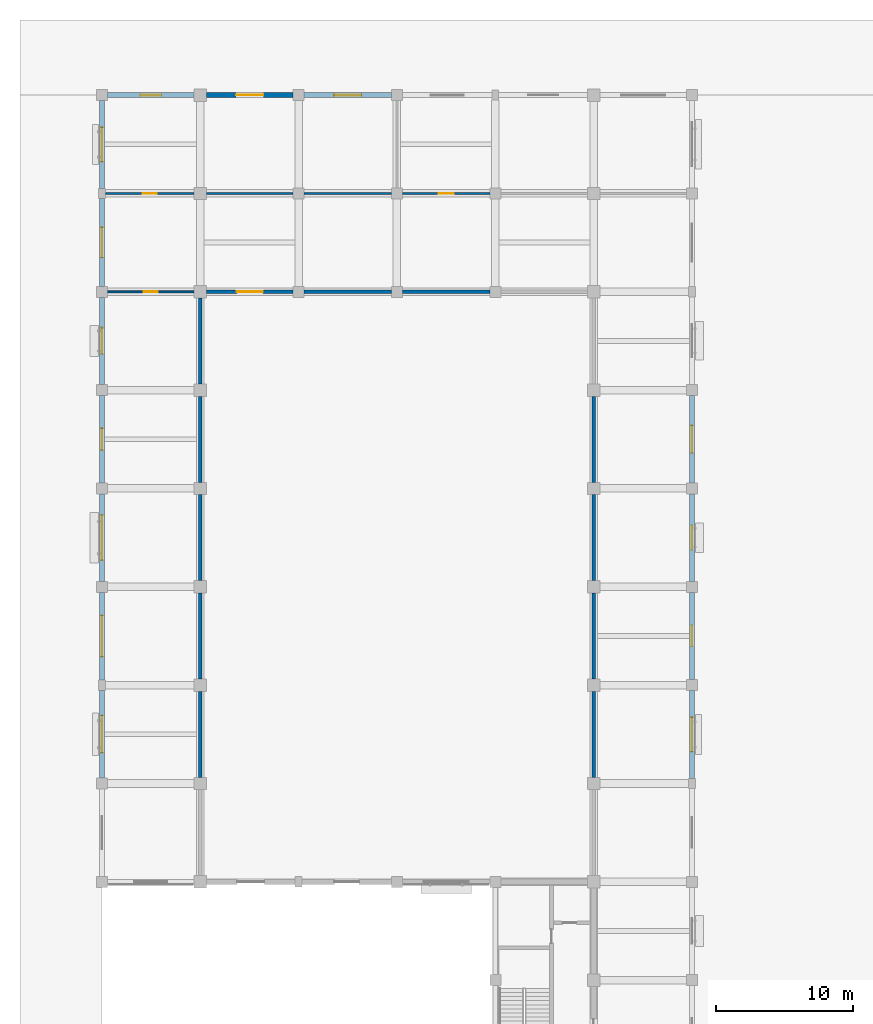
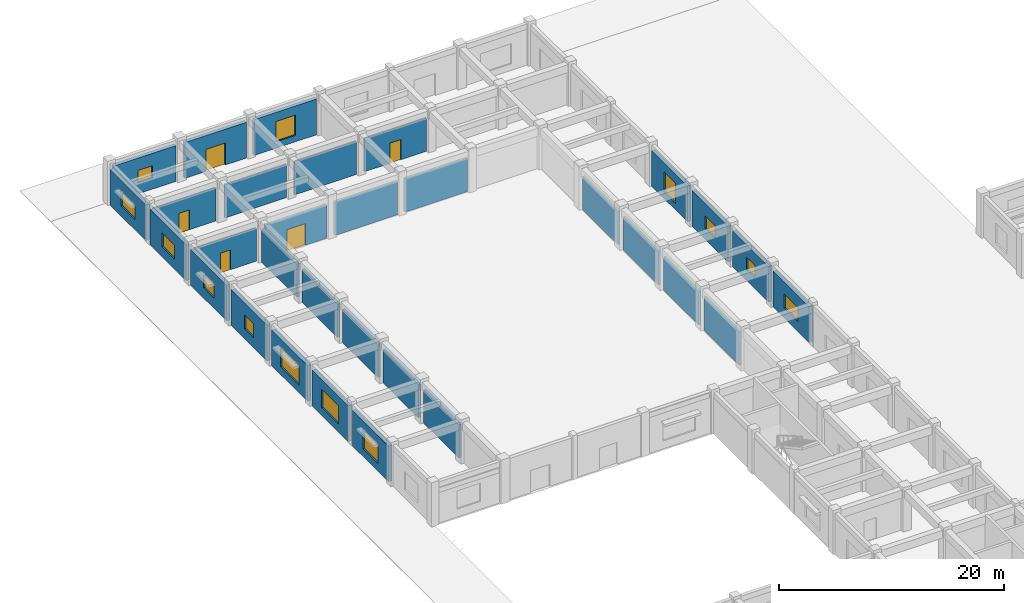
# One storey, part 15 of 37: 31 walls, 13 windows, 5 doors, 18 openings.
"""IFC4 building model written with IfcOpenShell, lengths in metres."""

from ifc_helpers import new_model, si_unit, direction, frame, frame_2d, origin, place, context, subcontext, project, spatial, rectangle, extrude, material, layer, layer_set, type_object, element, fill, save


model = new_model("IFC4")

# Units and contexts
model_context = context("Model", 3, precision=1e-05, world=origin(), true_north=direction((0.0, 1.0)))
body_context = subcontext(model_context, "Body", "Model", "MODEL_VIEW")
ifc_project = project(units=[si_unit("LENGTHUNIT", "METRE"), si_unit("AREAUNIT", "SQUARE_METRE"), si_unit("VOLUMEUNIT", "CUBIC_METRE"), si_unit("PLANEANGLEUNIT", "RADIAN"), si_unit("MASSUNIT", "GRAM", prefix="KILO")], contexts=[model_context])

# Site, building, storey
site_placement = place(None, origin())
site = spatial("IfcSite", under=ifc_project, at=site_placement, CompositionType="ELEMENT")
building_placement = place(site_placement, origin())
building = spatial("IfcBuilding", under=site, at=building_placement, Name="Cendaluz Park School", CompositionType="ELEMENT")
storey_placement = place(building_placement, origin())
storey = spatial("IfcBuildingStorey", under=building, at=storey_placement, Name="L00", CompositionType="ELEMENT", Elevation=0.0)

# Walls
ifc_material_1 = material(Name="Gypsum Plasterboard on Cold-Formed Stud", Category="gypsum")
ifc_layer_1 = layer(ifc_material_1, 0.25)
ifc_layer_set_1 = layer_set([ifc_layer_1], Name="Gypsum Plasterboard on Cold-Formed Stud")
wall_type_1 = type_object("IfcWallType", Name="W-CP25", PredefinedType="PARTITIONING", material=ifc_layer_set_1)
for number, where, z_axis, x_axis, name in (
    (1, (7.199951171875, 65.25, 0.0), (0.0, 0.0, 1.0), (0.0, 1.0, 0.0), "WL-FA-BY1"),
    (2, (7.199951171875, 72.449951171875, 0.0), (0.0, 0.0, 1.0), (0.0, 1.0, 0.0), "WL-FA-BY2"),
    (3, (7.199951171875, 79.64990234375, 0.0), (0.0, 0.0, 1.0), (0.0, 1.0, 0.0), "WL-FA-BY3"),
):
    element("IfcWall", number, at=place(storey_placement, frame(where, z_axis=z_axis, x_axis=x_axis)), inside=storey, type_object=wall_type_1, Name=name, PredefinedType="PARTITIONING", context=body_context, shape_type="SweptSolid", body=[
        extrude(rectangle(XDim=6.300048828125, YDim=0.25, at=frame_2d((3.14990234375, 0.0))), origin(), (0.0, 0.0, 1.0), 3.6201171875),
    ])
wall_1_placement = place(storey_placement, frame((7.199951171875, 86.85009765625, 0.0), z_axis=(0.0, 0.0, 1.0), x_axis=(0.0, 1.0, 0.0)))
element("IfcWall", 4, at=wall_1_placement, inside=storey, type_object=wall_type_1, Name="WL-FA-BY4", PredefinedType="PARTITIONING", context=body_context, shape_type="SweptSolid", body=[
    extrude(rectangle(XDim=6.2998046875, YDim=0.25, at=frame_2d((3.14990234375, 0.0))), origin(), (0.0, 0.0, 1.0), 3.6201171875),
])

# Wall, opening, door
wall_2_placement = place(storey_placement, frame((7.64990234375, 100.800048828125, 0.0), z_axis=(0.0, 0.0, 1.0), x_axis=(1.0, 0.0, 0.0)))
wall_2 = element("IfcWall", 5, at=wall_2_placement, inside=storey, type_object=wall_type_1, Name="WL-FA-BY5", PredefinedType="PARTITIONING", context=body_context, shape_type="SweptSolid", body=[
    extrude(rectangle(XDim=6.35009765625, YDim=0.25, at=frame_2d((3.175048828125, 0.0))), origin(), (0.0, 0.0, 1.0), 3.6201171875),
])
opening_1_placement = place(wall_2_placement, frame((2.22509765625, 0.0, 0.0)))
opening_1 = element("IfcOpeningElement", 6, at=opening_1_placement, cuts=wall_2, Name="Opening DHL-01", PredefinedType="OPENING", context=body_context, shape_type="SweptSolid", body=[
    extrude(rectangle(XDim=1.89990234375, YDim=2.35009765625, at=frame_2d((0.949951171875, 1.175048828125))), frame((0.0, 0.136962890625, 0.0), z_axis=(0.0, -1.0, 0.0), x_axis=(1.0, 0.0, 0.0)), (0.0, 0.0, 1.0), 0.27392578125),
])
ifc_material_2 = material(Name="Solid Core Hardwood", Category="wood")
door_type_1 = type_object("IfcDoorType", Name="DHL-01", OperationType="DOUBLE_DOOR_SINGLE_SWING", PredefinedType="DOOR", material=ifc_material_2)
door_1_placement = place(opening_1_placement, origin())
door_1 = element("IfcDoor", 7, at=door_1_placement, inside=storey, type_object=door_type_1, Name="D-L00-064", OperationType="DOUBLE_DOOR_SINGLE_SWING", OverallHeight=2.35009765625, OverallWidth=1.89990234375, PredefinedType="DOOR", context=body_context, shape_type="SweptSolid", body=[
    extrude(rectangle(XDim=1.89990234375, YDim=2.35009765625, at=frame_2d((0.949951171875, 1.175048828125))), frame((0.0, 0.02490234375, 0.0), z_axis=(0.0, -1.0, 0.0), x_axis=(1.0, 0.0, 0.0)), (0.0, 0.0, 1.0), 0.050048828125),
])
fill(opening_1, door_1)

# Walls
wall_3_placement = place(storey_placement, frame((7.199951171875, 94.050048828125, 0.0), z_axis=(0.0, 0.0, 1.0), x_axis=(0.0, 1.0, 0.0)))
element("IfcWall", 8, at=wall_3_placement, inside=storey, type_object=wall_type_1, Name="WL-FA-BY6", PredefinedType="PARTITIONING", context=body_context, shape_type="SweptSolid", body=[
    extrude(rectangle(XDim=6.300048828125, YDim=0.25, at=frame_2d((3.14990234375, 0.0))), origin(), (0.0, 0.0, 1.0), 3.6201171875),
])
for number, where, z_axis, x_axis, name in (
    (9, (14.800048828125, 100.800048828125, 0.0), (0.0, 0.0, 1.0), (1.0, 0.0, 0.0), "WL-FA-BY7"),
    (10, (22.0, 100.800048828125, 0.0), (0.0, 0.0, 1.0), (1.0, 0.0, 0.0), "WL-FA-BY8"),
):
    element("IfcWall", number, at=place(storey_placement, frame(where, z_axis=z_axis, x_axis=x_axis)), inside=storey, type_object=wall_type_1, Name=name, PredefinedType="PARTITIONING", context=body_context, shape_type="SweptSolid", body=[
        extrude(rectangle(XDim=6.39990234375, YDim=0.25, at=frame_2d((3.199951171875, 0.0))), origin(), (0.0, 0.0, 1.0), 3.6201171875),
    ])
for number, where, z_axis, x_axis, name in (
    (11, (36.0, 65.25, 0.0), (0.0, 0.0, 1.0), (0.0, 1.0, 0.0), "WL-FA-BZ0"),
    (12, (36.0, 72.449951171875, 0.0), (0.0, 0.0, 1.0), (0.0, 1.0, 0.0), "WL-FA-BZ1"),
    (13, (36.0, 79.64990234375, 0.0), (0.0, 0.0, 1.0), (0.0, 1.0, 0.0), "WL-FA-BZ2"),
):
    element("IfcWall", number, at=place(storey_placement, frame(where, z_axis=z_axis, x_axis=x_axis)), inside=storey, type_object=wall_type_1, Name=name, PredefinedType="PARTITIONING", context=body_context, shape_type="SweptSolid", body=[
        extrude(rectangle(XDim=6.300048828125, YDim=0.25, at=frame_2d((3.14990234375, 0.0))), origin(), (0.0, 0.0, 1.0), 3.6201171875),
    ])
wall_4_placement = place(storey_placement, frame((36.0, 86.85009765625, 0.0), z_axis=(0.0, 0.0, 1.0), x_axis=(0.0, 1.0, 0.0)))
element("IfcWall", 14, at=wall_4_placement, inside=storey, type_object=wall_type_1, Name="WL-FA-BZ3", PredefinedType="PARTITIONING", context=body_context, shape_type="SweptSolid", body=[
    extrude(rectangle(XDim=6.2998046875, YDim=0.25, at=frame_2d((3.14990234375, 0.0))), origin(), (0.0, 0.0, 1.0), 3.6201171875),
])

# Wall, opening, window
ifc_material_3 = material(Name="Concrete C40/50 precast", Category="concrete")
ifc_layer_2 = layer(ifc_material_3, 0.360107421875)
ifc_layer_set_2 = layer_set([ifc_layer_2], Name="Concrete C40/50 precast")
wall_type_2 = type_object("IfcWallType", Name="W-EX36", PredefinedType="SOLIDWALL", material=ifc_layer_set_2)
wall_5_placement = place(storey_placement, frame((0.0, 65.199951171875, 0.0), z_axis=(0.0, 0.0, 1.0), x_axis=(0.0, 1.0, 0.0)))
wall_5 = element("IfcWall", 15, at=wall_5_placement, inside=storey, type_object=wall_type_2, Name="WL-FA-AA8", PredefinedType="SOLIDWALL", context=body_context, shape_type="SweptSolid", body=[
    extrude(rectangle(XDim=6.425048828125, YDim=0.360107421875, at=frame_2d((3.21240234375, 0.0))), origin(), (0.0, 0.0, 1.0), 3.889892578125),
])
opening_2_placement = place(wall_5_placement, frame((1.862548828125, 0.0, 0.85009765625)))
opening_2 = element("IfcOpeningElement", 16, at=opening_2_placement, cuts=wall_5, Name="Opening WN-13", PredefinedType="OPENING", context=body_context, shape_type="SweptSolid", body=[
    extrude(rectangle(XDim=2.699951171875, YDim=2.0, at=frame_2d((1.35009765625, 1.0))), frame((0.0, 0.192138671875, 0.0), z_axis=(0.0, -1.0, 0.0), x_axis=(1.0, 0.0, 0.0)), (0.0, 0.0, 1.0), 0.384033203125),
])
ifc_material_4 = material(Name="Tempered Low-E Double Glazing", Category="glass")
window_type_1 = type_object("IfcWindowType", Name="WN-13", PartitioningType="SINGLE_PANEL", PredefinedType="WINDOW", material=ifc_material_4)
window_1_placement = place(opening_2_placement, origin())
window_1 = element("IfcWindow", 17, at=window_1_placement, inside=storey, type_object=window_type_1, Name="WN-L00-008", OverallHeight=2.0, OverallWidth=2.699951171875, PartitioningType="SINGLE_PANEL", PredefinedType="WINDOW", context=body_context, shape_type="SweptSolid", body=[
    extrude(rectangle(XDim=2.699951171875, YDim=2.0, at=frame_2d((1.35009765625, 1.0))), frame((0.0, 0.030029296875, 0.0), z_axis=(0.0, -1.0, 0.0), x_axis=(1.0, 0.0, 0.0)), (0.0, 0.0, 1.0), 0.06005859375),
])
fill(opening_2, window_1)

wall_6_placement = place(storey_placement, frame((0.0, 72.375, 0.0), z_axis=(0.0, 0.0, 1.0), x_axis=(0.0, 1.0, 0.0)))
wall_6 = element("IfcWall", 18, at=wall_6_placement, inside=storey, type_object=wall_type_2, Name="WL-FA-AA9", PredefinedType="SOLIDWALL", context=body_context, shape_type="SweptSolid", body=[
    extrude(rectangle(XDim=6.425048828125, YDim=0.360107421875, at=frame_2d((3.21240234375, 0.0))), origin(), (0.0, 0.0, 1.0), 3.889892578125),
])
opening_3_placement = place(wall_6_placement, frame((1.71240234375, 0.0, 0.85009765625)))
opening_3 = element("IfcOpeningElement", 19, at=opening_3_placement, cuts=wall_6, Name="Opening WN-14", PredefinedType="OPENING", context=body_context, shape_type="SweptSolid", body=[
    extrude(rectangle(XDim=3.0, YDim=2.0, at=frame_2d((1.5, 1.0))), frame((0.0, 0.192138671875, 0.0), z_axis=(0.0, -1.0, 0.0), x_axis=(1.0, 0.0, 0.0)), (0.0, 0.0, 1.0), 0.384033203125),
])
window_type_2 = type_object("IfcWindowType", Name="WN-14", PartitioningType="SINGLE_PANEL", PredefinedType="WINDOW", material=ifc_material_4)
window_2_placement = place(opening_3_placement, origin())
window_2 = element("IfcWindow", 20, at=window_2_placement, inside=storey, type_object=window_type_2, Name="WN-L00-009", OverallHeight=2.0, OverallWidth=3.0, PartitioningType="SINGLE_PANEL", PredefinedType="WINDOW", context=body_context, shape_type="SweptSolid", body=[
    extrude(rectangle(XDim=3.0, YDim=2.0, at=frame_2d((1.5, 1.0))), frame((0.0, 0.030029296875, 0.0), z_axis=(0.0, -1.0, 0.0), x_axis=(1.0, 0.0, 0.0)), (0.0, 0.0, 1.0), 0.06005859375),
])
fill(opening_3, window_2)

wall_7_placement = place(storey_placement, frame((0.0, 79.60009765625, 0.0), z_axis=(0.0, 0.0, 1.0), x_axis=(0.0, 1.0, 0.0)))
wall_7 = element("IfcWall", 21, at=wall_7_placement, inside=storey, type_object=wall_type_2, Name="WL-FA-AB0", PredefinedType="SOLIDWALL", context=body_context, shape_type="SweptSolid", body=[
    extrude(rectangle(XDim=6.39990234375, YDim=0.360107421875, at=frame_2d((3.199951171875, 0.0))), origin(), (0.0, 0.0, 1.0), 3.889892578125),
])
opening_4_placement = place(wall_7_placement, frame((1.550048828125, 0.0, 0.85009765625)))
opening_4 = element("IfcOpeningElement", 22, at=opening_4_placement, cuts=wall_7, Name="Opening WN-15", PredefinedType="OPENING", context=body_context, shape_type="SweptSolid", body=[
    extrude(rectangle(XDim=3.300048828125, YDim=2.0, at=frame_2d((1.64990234375, 1.0))), frame((0.0, 0.192138671875, 0.0), z_axis=(0.0, -1.0, 0.0), x_axis=(1.0, 0.0, 0.0)), (0.0, 0.0, 1.0), 0.384033203125),
])
window_type_3 = type_object("IfcWindowType", Name="WN-15", PartitioningType="SINGLE_PANEL", PredefinedType="WINDOW", material=ifc_material_4)
window_3_placement = place(opening_4_placement, origin())
window_3 = element("IfcWindow", 23, at=window_3_placement, inside=storey, type_object=window_type_3, Name="WN-L00-010", OverallHeight=2.0, OverallWidth=3.300048828125, PartitioningType="SINGLE_PANEL", PredefinedType="WINDOW", context=body_context, shape_type="SweptSolid", body=[
    extrude(rectangle(XDim=3.300048828125, YDim=2.0, at=frame_2d((1.64990234375, 1.0))), frame((0.0, 0.030029296875, 0.0), z_axis=(0.0, -1.0, 0.0), x_axis=(1.0, 0.0, 0.0)), (0.0, 0.0, 1.0), 0.06005859375),
])
fill(opening_4, window_3)

wall_8_placement = place(storey_placement, frame((0.0, 86.800048828125, 0.0), z_axis=(0.0, 0.0, 1.0), x_axis=(0.0, 1.0, 0.0)))
wall_8 = element("IfcWall", 24, at=wall_8_placement, inside=storey, type_object=wall_type_2, Name="WL-FA-AB1", PredefinedType="SOLIDWALL", context=body_context, shape_type="SweptSolid", body=[
    extrude(rectangle(XDim=6.39990234375, YDim=0.360107421875, at=frame_2d((3.199951171875, 0.0))), origin(), (0.0, 0.0, 1.0), 3.889892578125),
])
opening_5_placement = place(wall_8_placement, frame((2.39990234375, 0.0, 1.10009765625)))
opening_5 = element("IfcOpeningElement", 25, at=opening_5_placement, cuts=wall_8, Name="Opening WN-16", PredefinedType="OPENING", context=body_context, shape_type="SweptSolid", body=[
    extrude(rectangle(XDim=1.60009765625, YDim=1.5, at=frame_2d((0.800048828125, 0.75))), frame((0.0, 0.192138671875, 0.0), z_axis=(0.0, -1.0, 0.0), x_axis=(1.0, 0.0, 0.0)), (0.0, 0.0, 1.0), 0.384033203125),
])
window_type_4 = type_object("IfcWindowType", Name="WN-16", PartitioningType="SINGLE_PANEL", PredefinedType="WINDOW", material=ifc_material_4)
window_4_placement = place(opening_5_placement, origin())
window_4 = element("IfcWindow", 26, at=window_4_placement, inside=storey, type_object=window_type_4, Name="WN-L00-011", OverallHeight=1.5, OverallWidth=1.60009765625, PartitioningType="SINGLE_PANEL", PredefinedType="WINDOW", context=body_context, shape_type="SweptSolid", body=[
    extrude(rectangle(XDim=1.60009765625, YDim=1.5, at=frame_2d((0.800048828125, 0.75))), frame((0.0, 0.030029296875, 0.0), z_axis=(0.0, -1.0, 0.0), x_axis=(1.0, 0.0, 0.0)), (0.0, 0.0, 1.0), 0.06005859375),
])
fill(opening_5, window_4)

wall_9_placement = place(storey_placement, frame((0.0, 94.0, 0.0), z_axis=(0.0, 0.0, 1.0), x_axis=(0.0, 1.0, 0.0)))
wall_9 = element("IfcWall", 27, at=wall_9_placement, inside=storey, type_object=wall_type_2, Name="WL-FA-AB2", PredefinedType="SOLIDWALL", context=body_context, shape_type="SweptSolid", body=[
    extrude(rectangle(XDim=6.39990234375, YDim=0.360107421875, at=frame_2d((3.199951171875, 0.0))), origin(), (0.0, 0.0, 1.0), 3.889892578125),
])
opening_6_placement = place(wall_9_placement, frame((2.25, 0.0, 1.10009765625)))
opening_6 = element("IfcOpeningElement", 28, at=opening_6_placement, cuts=wall_9, Name="Opening WN-17", PredefinedType="OPENING", context=body_context, shape_type="SweptSolid", body=[
    extrude(rectangle(XDim=1.89990234375, YDim=1.5, at=frame_2d((0.949951171875, 0.75))), frame((0.0, 0.192138671875, 0.0), z_axis=(0.0, -1.0, 0.0), x_axis=(1.0, 0.0, 0.0)), (0.0, 0.0, 1.0), 0.384033203125),
])
window_type_5 = type_object("IfcWindowType", Name="WN-17", PartitioningType="SINGLE_PANEL", PredefinedType="WINDOW", material=ifc_material_4)
window_5_placement = place(opening_6_placement, origin())
window_5 = element("IfcWindow", 29, at=window_5_placement, inside=storey, type_object=window_type_5, Name="WN-L00-012", OverallHeight=1.5, OverallWidth=1.89990234375, PartitioningType="SINGLE_PANEL", PredefinedType="WINDOW", context=body_context, shape_type="SweptSolid", body=[
    extrude(rectangle(XDim=1.89990234375, YDim=1.5, at=frame_2d((0.949951171875, 0.75))), frame((0.0, 0.030029296875, 0.0), z_axis=(0.0, -1.0, 0.0), x_axis=(1.0, 0.0, 0.0)), (0.0, 0.0, 1.0), 0.06005859375),
])
fill(opening_6, window_5)

wall_10_placement = place(storey_placement, frame((0.0, 101.199951171875, 0.0), z_axis=(0.0, 0.0, 1.0), x_axis=(0.0, 1.0, 0.0)))
wall_10 = element("IfcWall", 30, at=wall_10_placement, inside=storey, type_object=wall_type_2, Name="WL-FA-AB3", PredefinedType="SOLIDWALL", context=body_context, shape_type="SweptSolid", body=[
    extrude(rectangle(XDim=6.425048828125, YDim=0.360107421875, at=frame_2d((3.21240234375, 0.0))), origin(), (0.0, 0.0, 1.0), 3.889892578125),
])
opening_7_placement = place(wall_10_placement, frame((2.112548828125, 0.0, 1.10009765625)))
opening_7 = element("IfcOpeningElement", 31, at=opening_7_placement, cuts=wall_10, Name="Opening WN-18", PredefinedType="OPENING", context=body_context, shape_type="SweptSolid", body=[
    extrude(rectangle(XDim=2.199951171875, YDim=1.5, at=frame_2d((1.10009765625, 0.75))), frame((0.0, 0.192138671875, 0.0), z_axis=(0.0, -1.0, 0.0), x_axis=(1.0, 0.0, 0.0)), (0.0, 0.0, 1.0), 0.384033203125),
])
window_type_6 = type_object("IfcWindowType", Name="WN-18", PartitioningType="SINGLE_PANEL", PredefinedType="WINDOW", material=ifc_material_4)
window_6_placement = place(opening_7_placement, origin())
window_6 = element("IfcWindow", 32, at=window_6_placement, inside=storey, type_object=window_type_6, Name="WN-L00-013", OverallHeight=1.5, OverallWidth=2.199951171875, PartitioningType="SINGLE_PANEL", PredefinedType="WINDOW", context=body_context, shape_type="SweptSolid", body=[
    extrude(rectangle(XDim=2.199951171875, YDim=1.5, at=frame_2d((1.10009765625, 0.75))), frame((0.0, 0.030029296875, 0.0), z_axis=(0.0, -1.0, 0.0), x_axis=(1.0, 0.0, 0.0)), (0.0, 0.0, 1.0), 0.06005859375),
])
fill(opening_7, window_6)

wall_11_placement = place(storey_placement, frame((0.39990234375, 115.199951171875, 0.0), z_axis=(0.0, 0.0, 1.0), x_axis=(1.0, 0.0, 0.0)))
wall_11 = element("IfcWall", 33, at=wall_11_placement, inside=storey, type_object=wall_type_2, Name="WL-FA-AB4", PredefinedType="SOLIDWALL", context=body_context, shape_type="SweptSolid", body=[
    extrude(rectangle(XDim=6.35009765625, YDim=0.360107421875, at=frame_2d((3.175048828125, 0.0))), origin(), (0.0, 0.0, 1.0), 3.889892578125),
])
opening_8_placement = place(wall_11_placement, frame((2.425048828125, 0.0, 1.199951171875)))
opening_8 = element("IfcOpeningElement", 34, at=opening_8_placement, cuts=wall_11, Name="Opening WN-20", PredefinedType="OPENING", context=body_context, shape_type="SweptSolid", body=[
    extrude(rectangle(XDim=1.5, YDim=1.35009765625, at=frame_2d((0.75, 0.675048828125))), frame((0.0, 0.192138671875, 0.0), z_axis=(0.0, -1.0, 0.0), x_axis=(1.0, 0.0, 0.0)), (0.0, 0.0, 1.0), 0.384033203125),
])
window_type_7 = type_object("IfcWindowType", Name="WN-20", PartitioningType="SINGLE_PANEL", PredefinedType="WINDOW", material=ifc_material_4)
window_7_placement = place(opening_8_placement, origin())
window_7 = element("IfcWindow", 35, at=window_7_placement, inside=storey, type_object=window_type_7, Name="WN-L00-014", OverallHeight=1.35009765625, OverallWidth=1.5, PartitioningType="SINGLE_PANEL", PredefinedType="WINDOW", context=body_context, shape_type="SweptSolid", body=[
    extrude(rectangle(XDim=1.5, YDim=1.35009765625, at=frame_2d((0.75, 0.675048828125))), frame((0.0, 0.030029296875, 0.0), z_axis=(0.0, -1.0, 0.0), x_axis=(1.0, 0.0, 0.0)), (0.0, 0.0, 1.0), 0.06005859375),
])
fill(opening_8, window_7)

wall_12_placement = place(storey_placement, frame((0.0, 108.375, 0.0), z_axis=(0.0, 0.0, 1.0), x_axis=(0.0, 1.0, 0.0)))
wall_12 = element("IfcWall", 36, at=wall_12_placement, inside=storey, type_object=wall_type_2, Name="WL-FA-AB5", PredefinedType="SOLIDWALL", context=body_context, shape_type="SweptSolid", body=[
    extrude(rectangle(XDim=6.425048828125, YDim=0.360107421875, at=frame_2d((3.21240234375, 0.0))), origin(), (0.0, 0.0, 1.0), 3.889892578125),
])
opening_9_placement = place(wall_12_placement, frame((1.96240234375, 0.0, 1.10009765625)))
opening_9 = element("IfcOpeningElement", 37, at=opening_9_placement, cuts=wall_12, Name="Opening WN-19", PredefinedType="OPENING", context=body_context, shape_type="SweptSolid", body=[
    extrude(rectangle(XDim=2.5, YDim=1.5, at=frame_2d((1.25, 0.75))), frame((0.0, 0.192138671875, 0.0), z_axis=(0.0, -1.0, 0.0), x_axis=(1.0, 0.0, 0.0)), (0.0, 0.0, 1.0), 0.384033203125),
])
window_type_8 = type_object("IfcWindowType", Name="WN-19", PartitioningType="SINGLE_PANEL", PredefinedType="WINDOW", material=ifc_material_4)
window_8_placement = place(opening_9_placement, origin())
window_8 = element("IfcWindow", 38, at=window_8_placement, inside=storey, type_object=window_type_8, Name="WN-L00-015", OverallHeight=1.5, OverallWidth=2.5, PartitioningType="SINGLE_PANEL", PredefinedType="WINDOW", context=body_context, shape_type="SweptSolid", body=[
    extrude(rectangle(XDim=2.5, YDim=1.5, at=frame_2d((1.25, 0.75))), frame((0.0, 0.030029296875, 0.0), z_axis=(0.0, -1.0, 0.0), x_axis=(1.0, 0.0, 0.0)), (0.0, 0.0, 1.0), 0.06005859375),
])
fill(opening_9, window_8)

# Wall, opening, door
wall_13_placement = place(storey_placement, frame((7.64990234375, 115.199951171875, 0.0), z_axis=(0.0, 0.0, 1.0), x_axis=(1.0, 0.0, 0.0)))
wall_13 = element("IfcWall", 39, at=wall_13_placement, inside=storey, type_object=wall_type_2, Name="WL-FA-AB9", PredefinedType="SOLIDWALL", context=body_context, shape_type="SweptSolid", body=[
    extrude(rectangle(XDim=6.35009765625, YDim=0.360107421875, at=frame_2d((3.175048828125, 0.0))), origin(), (0.0, 0.0, 1.0), 3.889892578125),
])
opening_10_placement = place(wall_13_placement, frame((2.175048828125, 0.0, 0.0)))
opening_10 = element("IfcOpeningElement", 40, at=opening_10_placement, cuts=wall_13, Name="Opening DEX-02", PredefinedType="OPENING", context=body_context, shape_type="SweptSolid", body=[
    extrude(rectangle(XDim=2.0, YDim=2.39990234375, at=frame_2d((1.0, 1.199951171875))), frame((0.0, 0.192138671875, 0.0), z_axis=(0.0, -1.0, 0.0), x_axis=(1.0, 0.0, 0.0)), (0.0, 0.0, 1.0), 0.384033203125),
])
ifc_material_5 = material(Name="Architectural Bronze")
door_type_2 = type_object("IfcDoorType", Name="DEX-02", OperationType="DOUBLE_DOOR_SINGLE_SWING", PredefinedType="DOOR", material=ifc_material_5)
door_2_placement = place(opening_10_placement, origin())
door_2 = element("IfcDoor", 41, at=door_2_placement, inside=storey, type_object=door_type_2, Name="D-L00-005", OperationType="DOUBLE_DOOR_SINGLE_SWING", OverallHeight=2.39990234375, OverallWidth=2.0, PredefinedType="DOOR", context=body_context, shape_type="SweptSolid", body=[
    extrude(rectangle(XDim=2.0, YDim=2.39990234375, at=frame_2d((1.0, 1.199951171875))), frame((0.0, 0.02490234375, 0.0), z_axis=(0.0, -1.0, 0.0), x_axis=(1.0, 0.0, 0.0)), (0.0, 0.0, 1.0), 0.050048828125),
])
fill(opening_10, door_2)

# Wall, opening, window
wall_14_placement = place(storey_placement, frame((14.800048828125, 115.199951171875, 0.0), z_axis=(0.0, 0.0, 1.0), x_axis=(1.0, 0.0, 0.0)))
wall_14 = element("IfcWall", 42, at=wall_14_placement, inside=storey, type_object=wall_type_2, Name="WL-FA-AC3", PredefinedType="SOLIDWALL", context=body_context, shape_type="SweptSolid", body=[
    extrude(rectangle(XDim=6.39990234375, YDim=0.360107421875, at=frame_2d((3.199951171875, 0.0))), origin(), (0.0, 0.0, 1.0), 3.889892578125),
])
opening_11_placement = place(wall_14_placement, frame((2.199951171875, 0.0, 0.699951171875)))
opening_11 = element("IfcOpeningElement", 43, at=opening_11_placement, cuts=wall_14, Name="Opening WN-22", PredefinedType="OPENING", context=body_context, shape_type="SweptSolid", body=[
    extrude(rectangle(XDim=2.0, YDim=2.199951171875, at=frame_2d((1.0, 1.10009765625))), frame((0.0, 0.192138671875, 0.0), z_axis=(0.0, -1.0, 0.0), x_axis=(1.0, 0.0, 0.0)), (0.0, 0.0, 1.0), 0.384033203125),
])
window_type_9 = type_object("IfcWindowType", Name="WN-22", PartitioningType="SINGLE_PANEL", PredefinedType="WINDOW", material=ifc_material_4)
window_9_placement = place(opening_11_placement, origin())
window_9 = element("IfcWindow", 44, at=window_9_placement, inside=storey, type_object=window_type_9, Name="WN-L00-017", OverallHeight=2.199951171875, OverallWidth=2.0, PartitioningType="SINGLE_PANEL", PredefinedType="WINDOW", context=body_context, shape_type="SweptSolid", body=[
    extrude(rectangle(XDim=2.0, YDim=2.199951171875, at=frame_2d((1.0, 1.10009765625))), frame((0.0, 0.030029296875, 0.0), z_axis=(0.0, -1.0, 0.0), x_axis=(1.0, 0.0, 0.0)), (0.0, 0.0, 1.0), 0.06005859375),
])
fill(opening_11, window_9)

wall_15_placement = place(storey_placement, frame((43.199951171875, 65.175048828125, 0.0), z_axis=(0.0, 0.0, 1.0), x_axis=(0.0, 1.0, 0.0)))
wall_15 = element("IfcWall", 45, at=wall_15_placement, inside=storey, type_object=wall_type_2, Name="WL-FA-AD9", PredefinedType="SOLIDWALL", context=body_context, shape_type="SweptSolid", body=[
    extrude(rectangle(XDim=6.425048828125, YDim=0.360107421875, at=frame_2d((3.21240234375, 0.0))), origin(), (0.0, 0.0, 1.0), 3.889892578125),
])
opening_12_placement = place(wall_15_placement, frame((1.96240234375, 0.0, 1.10009765625)))
opening_12 = element("IfcOpeningElement", 46, at=opening_12_placement, cuts=wall_15, Name="Opening WN-19", PredefinedType="OPENING", context=body_context, shape_type="SweptSolid", body=[
    extrude(rectangle(XDim=2.5, YDim=1.5, at=frame_2d((1.25, 0.75))), frame((0.0, 0.192138671875, 0.0), z_axis=(0.0, -1.0, 0.0), x_axis=(1.0, 0.0, 0.0)), (0.0, 0.0, 1.0), 0.384033203125),
])
window_10_placement = place(opening_12_placement, origin())
window_10 = element("IfcWindow", 47, at=window_10_placement, inside=storey, type_object=window_type_8, Name="WN-L00-030", OverallHeight=1.5, OverallWidth=2.5, PartitioningType="SINGLE_PANEL", PredefinedType="WINDOW", context=body_context, shape_type="SweptSolid", body=[
    extrude(rectangle(XDim=2.5, YDim=1.5, at=frame_2d((1.25, 0.75))), frame((0.0, 0.030029296875, 0.0), z_axis=(0.0, -1.0, 0.0), x_axis=(1.0, 0.0, 0.0)), (0.0, 0.0, 1.0), 0.06005859375),
])
fill(opening_12, window_10)

wall_16_placement = place(storey_placement, frame((43.199951171875, 72.39990234375, 0.0), z_axis=(0.0, 0.0, 1.0), x_axis=(0.0, 1.0, 0.0)))
wall_16 = element("IfcWall", 48, at=wall_16_placement, inside=storey, type_object=wall_type_2, Name="WL-FA-AE0", PredefinedType="SOLIDWALL", context=body_context, shape_type="SweptSolid", body=[
    extrude(rectangle(XDim=6.400146484375, YDim=0.360107421875, at=frame_2d((3.2001953125, 0.0))), origin(), (0.0, 0.0, 1.0), 3.889892578125),
])
opening_13_placement = place(wall_16_placement, frame((2.449951171875, 0.0, 1.199951171875)))
opening_13 = element("IfcOpeningElement", 49, at=opening_13_placement, cuts=wall_16, Name="Opening WN-20", PredefinedType="OPENING", context=body_context, shape_type="SweptSolid", body=[
    extrude(rectangle(XDim=1.5, YDim=1.35009765625, at=frame_2d((0.75, 0.675048828125))), frame((0.0, 0.192138671875, 0.0), z_axis=(0.0, -1.0, 0.0), x_axis=(1.0, 0.0, 0.0)), (0.0, 0.0, 1.0), 0.384033203125),
])
window_11_placement = place(opening_13_placement, origin())
window_11 = element("IfcWindow", 50, at=window_11_placement, inside=storey, type_object=window_type_7, Name="WN-L00-031", OverallHeight=1.35009765625, OverallWidth=1.5, PartitioningType="SINGLE_PANEL", PredefinedType="WINDOW", context=body_context, shape_type="SweptSolid", body=[
    extrude(rectangle(XDim=1.5, YDim=1.35009765625, at=frame_2d((0.75, 0.675048828125))), frame((0.0, 0.030029296875, 0.0), z_axis=(0.0, -1.0, 0.0), x_axis=(1.0, 0.0, 0.0)), (0.0, 0.0, 1.0), 0.06005859375),
])
fill(opening_13, window_11)

wall_17_placement = place(storey_placement, frame((43.199951171875, 79.60009765625, 0.0), z_axis=(0.0, 0.0, 1.0), x_axis=(0.0, 1.0, 0.0)))
wall_17 = element("IfcWall", 51, at=wall_17_placement, inside=storey, type_object=wall_type_2, Name="WL-FA-AE1", PredefinedType="SOLIDWALL", context=body_context, shape_type="SweptSolid", body=[
    extrude(rectangle(XDim=6.39990234375, YDim=0.360107421875, at=frame_2d((3.199951171875, 0.0))), origin(), (0.0, 0.0, 1.0), 3.889892578125),
])
opening_14_placement = place(wall_17_placement, frame((2.324951171875, 0.0, 1.199951171875)))
opening_14 = element("IfcOpeningElement", 52, at=opening_14_placement, cuts=wall_17, Name="Opening WN-21", PredefinedType="OPENING", context=body_context, shape_type="SweptSolid", body=[
    extrude(rectangle(XDim=1.75, YDim=1.35009765625, at=frame_2d((0.875, 0.675048828125))), frame((0.0, 0.192138671875, 0.0), z_axis=(0.0, -1.0, 0.0), x_axis=(1.0, 0.0, 0.0)), (0.0, 0.0, 1.0), 0.384033203125),
])
window_type_10 = type_object("IfcWindowType", Name="WN-21", PartitioningType="SINGLE_PANEL", PredefinedType="WINDOW", material=ifc_material_4)
window_12_placement = place(opening_14_placement, origin())
window_12 = element("IfcWindow", 53, at=window_12_placement, inside=storey, type_object=window_type_10, Name="WN-L00-032", OverallHeight=1.35009765625, OverallWidth=1.75, PartitioningType="SINGLE_PANEL", PredefinedType="WINDOW", context=body_context, shape_type="SweptSolid", body=[
    extrude(rectangle(XDim=1.75, YDim=1.35009765625, at=frame_2d((0.875, 0.675048828125))), frame((0.0, 0.030029296875, 0.0), z_axis=(0.0, -1.0, 0.0), x_axis=(1.0, 0.0, 0.0)), (0.0, 0.0, 1.0), 0.06005859375),
])
fill(opening_14, window_12)

wall_18_placement = place(storey_placement, frame((43.199951171875, 86.800048828125, 0.0), z_axis=(0.0, 0.0, 1.0), x_axis=(0.0, 1.0, 0.0)))
wall_18 = element("IfcWall", 54, at=wall_18_placement, inside=storey, type_object=wall_type_2, Name="WL-FA-AE2", PredefinedType="SOLIDWALL", context=body_context, shape_type="SweptSolid", body=[
    extrude(rectangle(XDim=6.39990234375, YDim=0.360107421875, at=frame_2d((3.199951171875, 0.0))), origin(), (0.0, 0.0, 1.0), 3.889892578125),
])
opening_15_placement = place(wall_18_placement, frame((2.199951171875, 0.0, 0.699951171875)))
opening_15 = element("IfcOpeningElement", 55, at=opening_15_placement, cuts=wall_18, Name="Opening WN-22", PredefinedType="OPENING", context=body_context, shape_type="SweptSolid", body=[
    extrude(rectangle(XDim=2.0, YDim=2.199951171875, at=frame_2d((1.0, 1.10009765625))), frame((0.0, 0.192138671875, 0.0), z_axis=(0.0, -1.0, 0.0), x_axis=(1.0, 0.0, 0.0)), (0.0, 0.0, 1.0), 0.384033203125),
])
window_13_placement = place(opening_15_placement, origin())
window_13 = element("IfcWindow", 56, at=window_13_placement, inside=storey, type_object=window_type_9, Name="WN-L00-033", OverallHeight=2.199951171875, OverallWidth=2.0, PartitioningType="SINGLE_PANEL", PredefinedType="WINDOW", context=body_context, shape_type="SweptSolid", body=[
    extrude(rectangle(XDim=2.0, YDim=2.199951171875, at=frame_2d((1.0, 1.10009765625))), frame((0.0, 0.030029296875, 0.0), z_axis=(0.0, -1.0, 0.0), x_axis=(1.0, 0.0, 0.0)), (0.0, 0.0, 1.0), 0.06005859375),
])
fill(opening_15, window_13)

# Wall, opening, door
ifc_layer_3 = layer(ifc_material_1, 0.139892578125)
ifc_layer_set_3 = layer_set([ifc_layer_3], Name="Gypsum Plasterboard on Cold-Formed Stud")
wall_type_3 = type_object("IfcWallType", Name="W-ST14", PredefinedType="PARTITIONING", material=ifc_layer_set_3)
wall_19_placement = place(storey_placement, frame((0.39990234375, 100.800048828125, 0.0), z_axis=(0.0, 0.0, 1.0), x_axis=(1.0, 0.0, 0.0)))
wall_19 = element("IfcWall", 57, at=wall_19_placement, inside=storey, type_object=wall_type_3, Name="WL-FA-BZ6", PredefinedType="PARTITIONING", context=body_context, shape_type="SweptSolid", body=[
    extrude(rectangle(XDim=6.35009765625, YDim=0.139892578125, at=frame_2d((3.175048828125, 0.0))), origin(), (0.0, 0.0, 1.0), 3.6201171875),
])
opening_16_placement = place(wall_19_placement, frame((2.655029296875, 0.0, 0.0)))
opening_16 = element("IfcOpeningElement", 58, at=opening_16_placement, cuts=wall_19, Name="Opening DCL-03", PredefinedType="OPENING", context=body_context, shape_type="SweptSolid", body=[
    extrude(rectangle(XDim=1.0400390625, YDim=2.139892578125, at=frame_2d((0.52001953125, 1.06982421875))), frame((0.0, 0.08203125, 0.0), z_axis=(0.0, -1.0, 0.0), x_axis=(1.0, 0.0, 0.0)), (0.0, 0.0, 1.0), 0.163818359375),
])
door_type_3 = type_object("IfcDoorType", Name="DCL-03", OperationType="NOTDEFINED", PredefinedType="DOOR", material=ifc_material_2)
door_3_placement = place(opening_16_placement, frame((1.0400390625, 0.0, 0.0), z_axis=(0.0, 0.0, 1.0), x_axis=(-1.0, 0.0, 0.0)))
door_3 = element("IfcDoor", 59, at=door_3_placement, inside=storey, type_object=door_type_3, Name="D-L00-065", OperationType="SINGLE_SWING_LEFT", OverallHeight=2.139892578125, OverallWidth=1.0400390625, PredefinedType="DOOR", context=body_context, shape_type="SweptSolid", body=[
    extrude(rectangle(XDim=1.0400390625, YDim=2.139892578125, at=frame_2d((0.52001953125, 1.06982421875))), frame((0.0, 0.02490234375, 0.0), z_axis=(0.0, -1.0, 0.0), x_axis=(1.0, 0.0, 0.0)), (0.0, 0.0, 1.0), 0.050048828125),
])
fill(opening_16, door_3)

ifc_layer_4 = layer(ifc_material_1, 0.159912109375)
ifc_layer_set_4 = layer_set([ifc_layer_4], Name="Gypsum Plasterboard on Cold-Formed Stud")
wall_type_4 = type_object("IfcWallType", Name="W-WC16", PredefinedType="PARTITIONING", material=ifc_layer_set_4)
wall_20_placement = place(storey_placement, frame((0.25, 108.0, 0.0), z_axis=(0.0, 0.0, 1.0), x_axis=(1.0, 0.0, 0.0)))
wall_20 = element("IfcWall", 60, at=wall_20_placement, inside=storey, type_object=wall_type_4, Name="WL-FA-BZ7", PredefinedType="PARTITIONING", context=body_context, shape_type="SweptSolid", body=[
    extrude(rectangle(XDim=6.5, YDim=0.159912109375, at=frame_2d((3.25, 0.0))), origin(), (0.0, 0.0, 1.0), 3.6201171875),
])
opening_17_placement = place(wall_20_placement, frame((2.719970703125, 0.0, 0.0)))
opening_17 = element("IfcOpeningElement", 61, at=opening_17_placement, cuts=wall_20, Name="Opening DCL-04", PredefinedType="OPENING", context=body_context, shape_type="SweptSolid", body=[
    extrude(rectangle(XDim=1.06005859375, YDim=2.159912109375, at=frame_2d((0.530029296875, 1.080078125))), frame((0.0, 0.092041015625, 0.0), z_axis=(0.0, -1.0, 0.0), x_axis=(1.0, 0.0, 0.0)), (0.0, 0.0, 1.0), 0.183837890625),
])
door_type_4 = type_object("IfcDoorType", Name="DCL-04", OperationType="NOTDEFINED", PredefinedType="DOOR", material=ifc_material_2)
door_4_placement = place(opening_17_placement, origin())
door_4 = element("IfcDoor", 62, at=door_4_placement, inside=storey, type_object=door_type_4, Name="D-L00-066", OperationType="SINGLE_SWING_RIGHT", OverallHeight=2.159912109375, OverallWidth=1.06005859375, PredefinedType="DOOR", context=body_context, shape_type="SweptSolid", body=[
    extrude(rectangle(XDim=1.06005859375, YDim=2.159912109375, at=frame_2d((0.530029296875, 1.080078125))), frame((0.0, 0.02490234375, 0.0), z_axis=(0.0, -1.0, 0.0), x_axis=(1.0, 0.0, 0.0)), (0.0, 0.0, 1.0), 0.050048828125),
])
fill(opening_17, door_4)

# Walls
wall_21_placement = place(storey_placement, frame((7.64990234375, 108.0, 0.0), z_axis=(0.0, 0.0, 1.0), x_axis=(1.0, 0.0, 0.0)))
element("IfcWall", 63, at=wall_21_placement, inside=storey, type_object=wall_type_4, Name="WL-FA-BZ8", PredefinedType="PARTITIONING", context=body_context, shape_type="SweptSolid", body=[
    extrude(rectangle(XDim=6.35009765625, YDim=0.159912109375, at=frame_2d((3.175048828125, 0.0))), origin(), (0.0, 0.0, 1.0), 3.6201171875),
])
wall_22_placement = place(storey_placement, frame((14.800048828125, 108.0, 0.0), z_axis=(0.0, 0.0, 1.0), x_axis=(1.0, 0.0, 0.0)))
element("IfcWall", 64, at=wall_22_placement, inside=storey, type_object=wall_type_4, Name="WL-FA-BZ9", PredefinedType="PARTITIONING", context=body_context, shape_type="SweptSolid", body=[
    extrude(rectangle(XDim=6.39990234375, YDim=0.159912109375, at=frame_2d((3.199951171875, 0.0))), origin(), (0.0, 0.0, 1.0), 3.6201171875),
])

# Wall, opening, door
wall_23_placement = place(storey_placement, frame((22.0, 108.0, 0.0), z_axis=(0.0, 0.0, 1.0), x_axis=(1.0, 0.0, 0.0)))
wall_23 = element("IfcWall", 65, at=wall_23_placement, inside=storey, type_object=wall_type_4, Name="WL-FA-CA1", PredefinedType="PARTITIONING", context=body_context, shape_type="SweptSolid", body=[
    extrude(rectangle(XDim=6.39990234375, YDim=0.159912109375, at=frame_2d((3.199951171875, 0.0))), origin(), (0.0, 0.0, 1.0), 3.6201171875),
])
opening_18_placement = place(wall_23_placement, frame((2.659912109375, 0.0, 0.0)))
opening_18 = element("IfcOpeningElement", 66, at=opening_18_placement, cuts=wall_23, Name="Opening DCL-05", PredefinedType="OPENING", context=body_context, shape_type="SweptSolid", body=[
    extrude(rectangle(XDim=1.080078125, YDim=2.179931640625, at=frame_2d((0.5400390625, 1.08984375))), frame((0.0, 0.092041015625, 0.0), z_axis=(0.0, -1.0, 0.0), x_axis=(1.0, 0.0, 0.0)), (0.0, 0.0, 1.0), 0.183837890625),
])
door_type_5 = type_object("IfcDoorType", Name="DCL-05", OperationType="NOTDEFINED", PredefinedType="DOOR", material=ifc_material_2)
door_5_placement = place(opening_18_placement, origin())
door_5 = element("IfcDoor", 67, at=door_5_placement, inside=storey, type_object=door_type_5, Name="D-L00-067", OperationType="SINGLE_SWING_LEFT", OverallHeight=2.179931640625, OverallWidth=1.080078125, PredefinedType="DOOR", context=body_context, shape_type="SweptSolid", body=[
    extrude(rectangle(XDim=1.080078125, YDim=2.179931640625, at=frame_2d((0.5400390625, 1.08984375))), frame((0.0, 0.02490234375, 0.0), z_axis=(0.0, -1.0, 0.0), x_axis=(1.0, 0.0, 0.0)), (0.0, 0.0, 1.0), 0.050048828125),
])
fill(opening_18, door_5)

save(model, "model.ifc")
